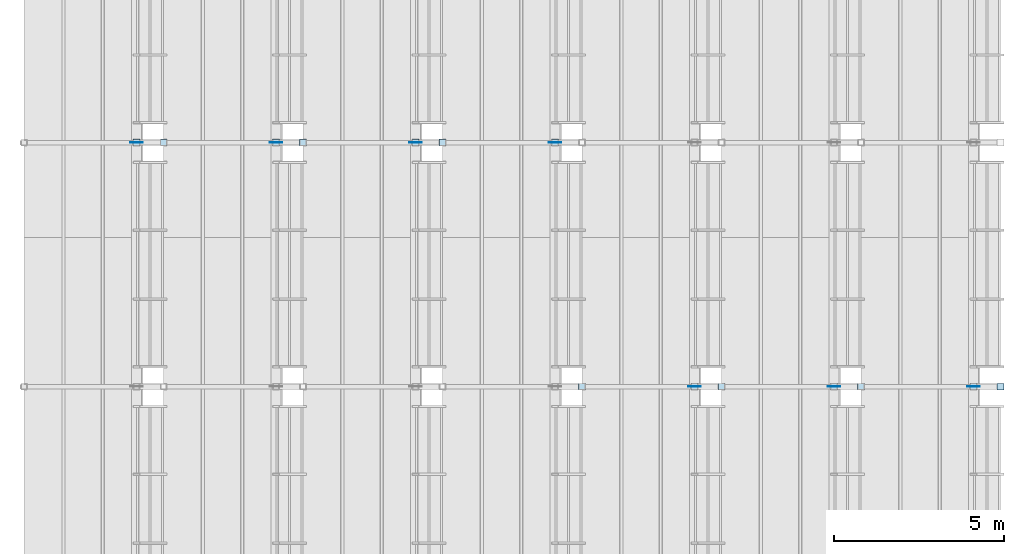
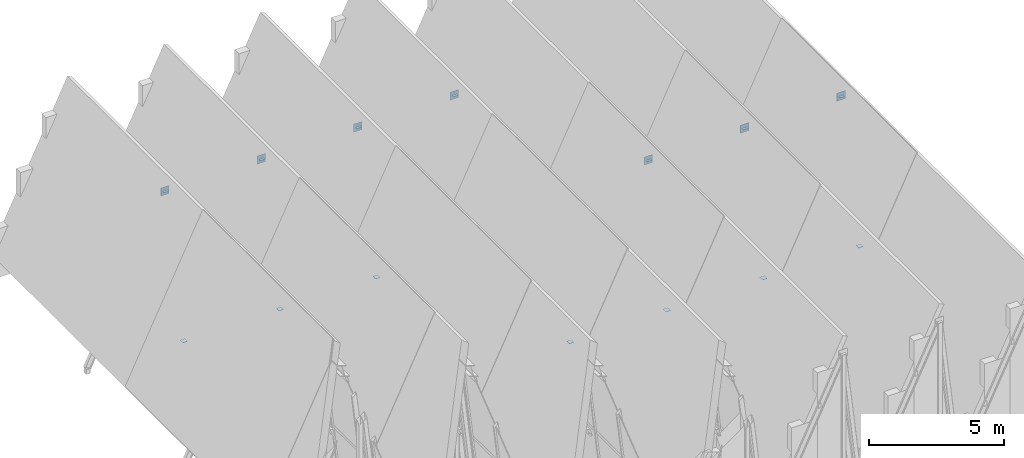
# One storey, part 23 of 28: 21 plates.
"""IFC4 building model written with IfcOpenShell, lengths in metres."""

from ifc_helpers import new_model, si_unit, direction, frame, origin, origin_2d, place, context, subcontext, project, spatial, rectangle, extrude, material, layer, layer_set, type_object, element, save


model = new_model("IFC4")

# Units and contexts
model_context = context("Model", 3, precision=1e-05, world=origin(), true_north=direction((0.0, 1.0)))
body_context = subcontext(model_context, "Body", "Model", "MODEL_VIEW")
ifc_project = project(units=[si_unit("LENGTHUNIT", "METRE"), si_unit("AREAUNIT", "SQUARE_METRE"), si_unit("VOLUMEUNIT", "CUBIC_METRE"), si_unit("PLANEANGLEUNIT", "RADIAN"), si_unit("MASSUNIT", "GRAM", prefix="KILO")], contexts=[model_context])

# Site, building, storey
site_placement = place(None, origin())
site = spatial("IfcSite", under=ifc_project, at=site_placement, CompositionType="ELEMENT")
building_placement = place(site_placement, origin())
building = spatial("IfcBuilding", under=site, at=building_placement, Name="Bramveld Media Centre", CompositionType="ELEMENT")
storey_placement = place(building_placement, frame((0.0, 0.0, 33.89990234375)))
storey = spatial("IfcBuildingStorey", under=building, at=storey_placement, Name="ROOF", CompositionType="ELEMENT", Elevation=33.89990234375)

# Plates
ifc_material_1 = material(Name="Steel S355J2", Category="steel")
ifc_layer_1 = layer(ifc_material_1, 0.013916015625)
ifc_layer_set_1 = layer_set([ifc_layer_1], Name="Steel S355J2")
plate_type_1 = type_object("IfcPlateType", Name="PLT-CAP-14", PredefinedType="USERDEFINED", material=ifc_layer_set_1)
for number, where, z_axis, x_axis, name in (
    (1, (134.513427734375, 104.800048828125, 6.99462890625), (0.0, 0.0, 1.0), (1.0, 0.0, 0.0), "Hollow section end cap plate CAP-CRN-FR-B01-F4"),
    (2, (135.315185546875, 104.800048828125, -0.0498046875), (0.0, 0.0, -1.0), (1.0, 0.0, 0.0), "Hollow section end cap plate CAP-CRN-FR-B01-F4-R"),
    (3, (138.627685546875, 104.800048828125, 6.99462890625), (0.0, 0.0, 1.0), (1.0, 0.0, 0.0), "Hollow section end cap plate CAP-CRN-FR-B02-F4"),
    (4, (139.429443359375, 104.800048828125, -0.0498046875), (0.0, 0.0, -1.0), (1.0, 0.0, 0.0), "Hollow section end cap plate CAP-CRN-FR-B02-F4-R"),
    (5, (142.7421875, 104.800048828125, 6.99462890625), (0.0, 0.0, 1.0), (1.0, 0.0, 0.0), "Hollow section end cap plate CAP-CRN-FR-B03-F4"),
    (6, (143.543701171875, 104.800048828125, -0.0498046875), (0.0, 0.0, -1.0), (1.0, 0.0, 0.0), "Hollow section end cap plate CAP-CRN-FR-B03-F4-R"),
    (7, (147.657958984375, 97.60009765625, -0.0498046875), (0.0, 0.0, -1.0), (1.0, 0.0, 0.0), "Hollow section end cap plate CAP-CRN-FR-B04-F3-R"),
    (8, (146.8564453125, 104.800048828125, 6.99462890625), (0.0, 0.0, 1.0), (1.0, 0.0, 0.0), "Hollow section end cap plate CAP-CRN-FR-B04-F4"),
    (9, (150.970703125, 97.60009765625, 6.99462890625), (0.0, 0.0, 1.0), (1.0, 0.0, 0.0), "Hollow section end cap plate CAP-CRN-FR-B05-F3"),
    (10, (151.772216796875, 97.60009765625, -0.0498046875), (0.0, 0.0, -1.0), (1.0, 0.0, 0.0), "Hollow section end cap plate CAP-CRN-FR-B05-F3-R"),
    (11, (155.0849609375, 97.60009765625, 6.99462890625), (0.0, 0.0, 1.0), (1.0, 0.0, 0.0), "Hollow section end cap plate CAP-CRN-FR-B06-F3"),
    (12, (155.886474609375, 97.60009765625, -0.0498046875), (0.0, 0.0, -1.0), (1.0, 0.0, 0.0), "Hollow section end cap plate CAP-CRN-FR-B06-F3-R"),
    (13, (159.19921875, 97.60009765625, 6.99462890625), (0.0, 0.0, 1.0), (1.0, 0.0, 0.0), "Hollow section end cap plate CAP-CRN-FR-B07-F3"),
    (14, (160.000732421875, 97.60009765625, -0.0498046875), (0.0, 0.0, -1.0), (1.0, 0.0, 0.0), "Hollow section end cap plate CAP-CRN-FR-B07-F3-R"),
):
    element("IfcPlate", number, at=place(storey_placement, frame(where, z_axis=z_axis, x_axis=x_axis)), inside=storey, type_object=plate_type_1, Name=name, ObjectType="CAP PLATE", PredefinedType="USERDEFINED", context=body_context, shape_type="SweptSolid", body=[
        extrude(rectangle(XDim=0.199951171875, YDim=0.199951171875, at=origin_2d()), origin(), (0.0, 0.0, 1.0), 0.013916015625),
    ])
ifc_material_2 = material(Name="Steel S355J2", Category="steel")
ifc_layer_2 = layer(ifc_material_2, 0.01611328125)
ifc_layer_set_2 = layer_set([ifc_layer_2], Name="Steel S355J2")
plate_type_2 = type_object("IfcPlateType", Name="PLT-GUSSET-CRN16", PredefinedType="USERDEFINED", material=ifc_layer_set_2)
for number, where, z_axis, x_axis, name in (
    (15, (134.514404296875, 104.800048828125, 6.81494140625), (0.0, 0.0, 1.0), (1.0, 0.0, 0.0), "CRN-FR-B01-F4 ridge gusset plate"),
    (16, (138.628662109375, 104.800048828125, 6.81494140625), (0.0, 0.0, 1.0), (1.0, 0.0, 0.0), "CRN-FR-B02-F4 ridge gusset plate"),
    (17, (142.742919921875, 104.800048828125, 6.81494140625), (0.0, 0.0, 1.0), (1.0, 0.0, 0.0), "CRN-FR-B03-F4 ridge gusset plate"),
    (18, (146.857177734375, 104.800048828125, 6.81494140625), (0.0, 0.0, 1.0), (1.0, 0.0, 0.0), "CRN-FR-B04-F4 ridge gusset plate"),
    (19, (150.971435546875, 97.60009765625, 6.81494140625), (0.0, 0.0, 1.0), (1.0, 0.0, 0.0), "CRN-FR-B05-F3 ridge gusset plate"),
    (20, (155.085693359375, 97.60009765625, 6.81494140625), (0.0, 0.0, 1.0), (1.0, 0.0, 0.0), "CRN-FR-B06-F3 ridge gusset plate"),
    (21, (159.199951171875, 97.60009765625, 6.81494140625), (0.0, 0.0, 1.0), (1.0, 0.0, 0.0), "CRN-FR-B07-F3 ridge gusset plate"),
):
    element("IfcPlate", number, at=place(storey_placement, frame(where, z_axis=z_axis, x_axis=x_axis)), inside=storey, type_object=plate_type_2, Name=name, ObjectType="GUSSET PLATE", PredefinedType="USERDEFINED", context=body_context, shape_type="SweptSolid", body=[
        extrude(rectangle(XDim=0.360107421875, YDim=0.01611328125, at=origin_2d()), origin(), (0.0, 0.0, 1.0), 0.360107421875),
    ])

save(model, "model.ifc")
